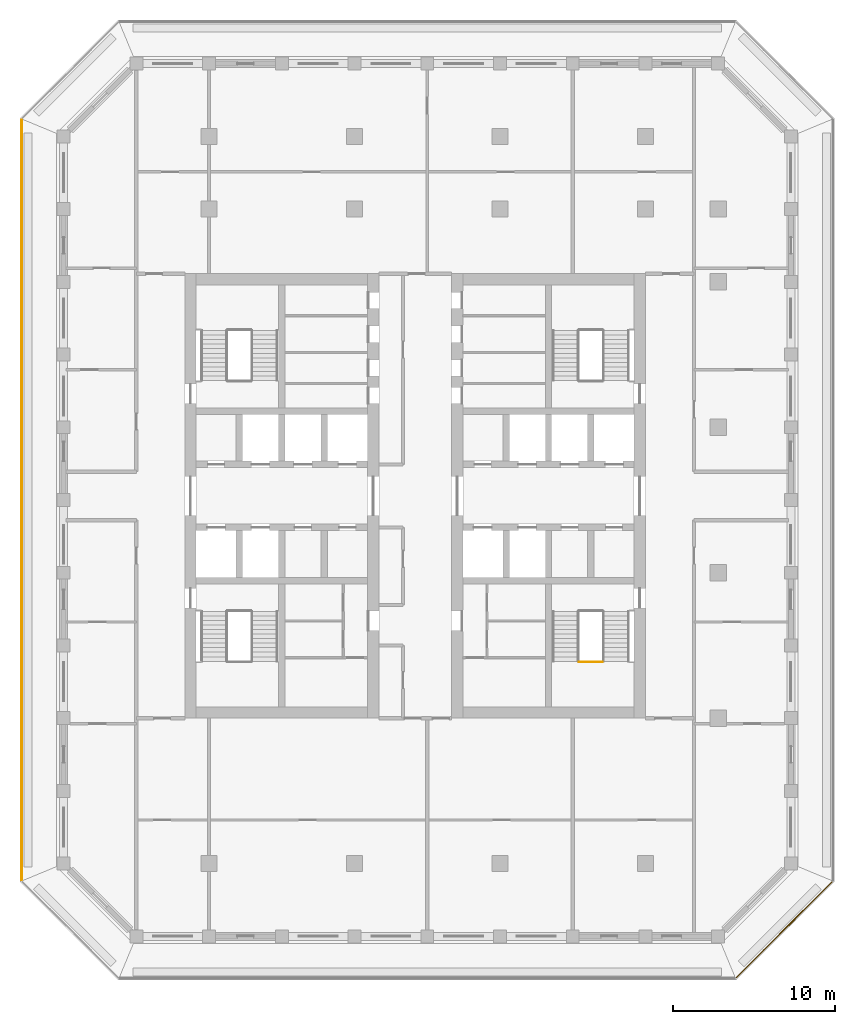
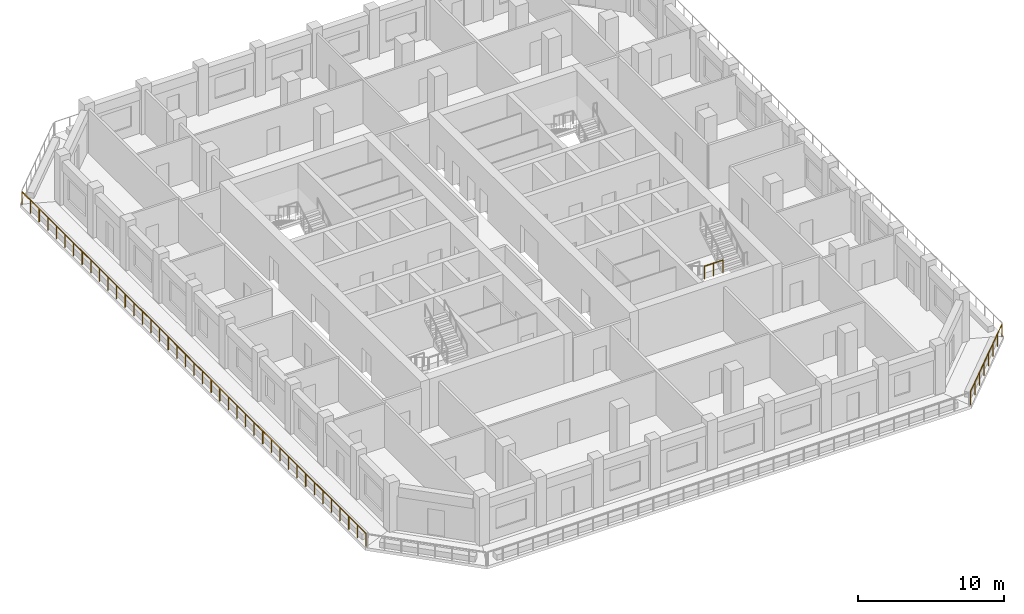
# One storey, part 11 of 17: 3 railings.
"""IFC4 building model written with IfcOpenShell, lengths in metres."""

from ifc_helpers import new_model, si_unit, direction, frame, origin, origin_2d, place, context, subcontext, project, spatial, circle, extrude, material, type_object, element, save


model = new_model("IFC4")

# Units and contexts
model_context = context("Model", 3, precision=1e-05, world=origin(), true_north=direction((0.0, 1.0)))
body_context = subcontext(model_context, "Body", "Model", "MODEL_VIEW")
ifc_project = project(units=[si_unit("LENGTHUNIT", "METRE"), si_unit("AREAUNIT", "SQUARE_METRE"), si_unit("VOLUMEUNIT", "CUBIC_METRE"), si_unit("PLANEANGLEUNIT", "RADIAN"), si_unit("MASSUNIT", "GRAM", prefix="KILO")], contexts=[model_context])

# Site, building, storey
site_placement = place(None, origin())
site = spatial("IfcSite", under=ifc_project, at=site_placement, CompositionType="ELEMENT")
building_placement = place(site_placement, origin())
building = spatial("IfcBuilding", under=site, at=building_placement, Name="Corbel Stack Research Tower", CompositionType="ELEMENT")
storey_placement = place(building_placement, frame((0.0, 0.0, 235.699951171875)))
storey = spatial("IfcBuildingStorey", under=building, at=storey_placement, Name="L53", CompositionType="ELEMENT", Elevation=235.699951171875)

# Railings
ifc_material_1 = material(Name="Steel S355", Category="steel")
railing_type_1 = type_object("IfcRailingType", Name="Stair guard 1100", PredefinedType="GUARDRAIL", material=ifc_material_1)
railing_1_placement = place(storey_placement, frame((13.89990234375, -5.530029296875, 2.050048828125)))
element("IfcRailing", 1, at=railing_1_placement, inside=storey, type_object=railing_type_1, Name="L53 ST-E1 stair guard 2", PredefinedType="GUARDRAIL", context=body_context, shape_type="SweptSolid", body=[
    extrude(circle(Radius=0.02392578125, at=origin_2d()), frame((0.0, 0.0, 1.076171875), z_axis=(1.0, 0.0, 0.0), x_axis=(0.0, 1.0, 0.0)), (0.0, 0.0, 1.0), 1.4501953125),
    extrude(circle(Radius=0.02099609375, at=origin_2d()), origin(), (0.0, 0.0, 1.0), 1.052001953125),
    extrude(circle(Radius=0.02099609375, at=origin_2d()), frame((0.72509765625, 0.0, 0.0)), (0.0, 0.0, 1.0), 1.052001953125),
    extrude(circle(Radius=0.02099609375, at=origin_2d()), frame((1.4501953125, 0.0, 0.0)), (0.0, 0.0, 1.0), 1.052001953125),
])
ifc_material_2 = material(Name="Powder-coated steel guard", Category="steel")
railing_type_2 = type_object("IfcRailingType", Name="Steel and glass guard 1100", PredefinedType="GUARDRAIL", material=ifc_material_2)
railing_2_placement = place(storey_placement, frame((23.627685546875, -25.04931640625, 0.0)))
element("IfcRailing", 2, at=railing_2_placement, inside=storey, type_object=railing_type_2, Name="Loggia guard L53 SE", PredefinedType="GUARDRAIL", context=body_context, shape_type="SweptSolid", body=[
    extrude(circle(Radius=0.02392578125, at=origin_2d()), frame((0.0, 0.0, 1.076171875), z_axis=(0.707106781187, 0.707106781187, 0.0), x_axis=(-0.707106781187, 0.707106781187, 0.0)), (0.0, 0.0, 1.0), 8.37451171875),
    extrude(circle(Radius=0.02099609375, at=origin_2d()), origin(), (0.0, 0.0, 1.0), 1.052001953125),
    extrude(circle(Radius=0.02099609375, at=origin_2d()), frame((0.845947265625, 0.845947265625, 0.0)), (0.0, 0.0, 1.0), 1.052001953125),
    extrude(circle(Radius=0.02099609375, at=origin_2d()), frame((1.69189453125, 1.69189453125, 0.0)), (0.0, 0.0, 1.0), 1.052001953125),
    extrude(circle(Radius=0.02099609375, at=origin_2d()), frame((2.537841796875, 2.537841796875, 0.0)), (0.0, 0.0, 1.0), 1.052001953125),
    extrude(circle(Radius=0.02099609375, at=origin_2d()), frame((3.3837890625, 3.3837890625, 0.0)), (0.0, 0.0, 1.0), 1.052001953125),
    extrude(circle(Radius=0.02099609375, at=origin_2d()), frame((4.229736328125, 4.229736328125, 0.0)), (0.0, 0.0, 1.0), 1.052001953125),
    extrude(circle(Radius=0.02099609375, at=origin_2d()), frame((5.07568359375, 5.07568359375, 0.0)), (0.0, 0.0, 1.0), 1.052001953125),
    extrude(circle(Radius=0.02099609375, at=origin_2d()), frame((5.921630859375, 5.921630859375, 0.0)), (0.0, 0.0, 1.0), 1.052001953125),
])
railing_3_placement = place(storey_placement, frame((-20.60009765625, 28.00537109375, 0.0)))
element("IfcRailing", 3, at=railing_3_placement, inside=storey, type_object=railing_type_2, Name="Loggia guard L53 W", PredefinedType="GUARDRAIL", context=body_context, shape_type="SweptSolid", body=[
    extrude(circle(Radius=0.02392578125, at=origin_2d()), frame((0.0, 0.0, 1.076171875), z_axis=(0.0, -1.0, 0.0), x_axis=(1.0, 0.0, 0.0)), (0.0, 0.0, 1.0), 47.0107421875),
    extrude(circle(Radius=0.02099609375, at=origin_2d()), origin(), (0.0, 0.0, 1.0), 1.052001953125),
    extrude(circle(Radius=0.02099609375, at=origin_2d()), frame((0.0, -1.17529296875, 0.0)), (0.0, 0.0, 1.0), 1.052001953125),
    extrude(circle(Radius=0.02099609375, at=origin_2d()), frame((0.0, -2.3505859375, 0.0)), (0.0, 0.0, 1.0), 1.052001953125),
    extrude(circle(Radius=0.02099609375, at=origin_2d()), frame((0.0, -3.52587890625, 0.0)), (0.0, 0.0, 1.0), 1.052001953125),
    extrude(circle(Radius=0.02099609375, at=origin_2d()), frame((0.0, -4.701171875, 0.0)), (0.0, 0.0, 1.0), 1.052001953125),
    extrude(circle(Radius=0.02099609375, at=origin_2d()), frame((0.0, -5.87646484375, 0.0)), (0.0, 0.0, 1.0), 1.052001953125),
    extrude(circle(Radius=0.02099609375, at=origin_2d()), frame((0.0, -7.051513671875, 0.0)), (0.0, 0.0, 1.0), 1.052001953125),
    extrude(circle(Radius=0.02099609375, at=origin_2d()), frame((0.0, -8.226806640625, 0.0)), (0.0, 0.0, 1.0), 1.052001953125),
    extrude(circle(Radius=0.02099609375, at=origin_2d()), frame((0.0, -9.402099609375, 0.0)), (0.0, 0.0, 1.0), 1.052001953125),
    extrude(circle(Radius=0.02099609375, at=origin_2d()), frame((0.0, -10.577392578125, 0.0)), (0.0, 0.0, 1.0), 1.052001953125),
    extrude(circle(Radius=0.02099609375, at=origin_2d()), frame((0.0, -11.752685546875, 0.0)), (0.0, 0.0, 1.0), 1.052001953125),
    extrude(circle(Radius=0.02099609375, at=origin_2d()), frame((0.0, -12.927978515625, 0.0)), (0.0, 0.0, 1.0), 1.052001953125),
    extrude(circle(Radius=0.02099609375, at=origin_2d()), frame((0.0, -14.103271484375, 0.0)), (0.0, 0.0, 1.0), 1.052001953125),
    extrude(circle(Radius=0.02099609375, at=origin_2d()), frame((0.0, -15.278564453125, 0.0)), (0.0, 0.0, 1.0), 1.052001953125),
    extrude(circle(Radius=0.02099609375, at=origin_2d()), frame((0.0, -16.453857421875, 0.0)), (0.0, 0.0, 1.0), 1.052001953125),
    extrude(circle(Radius=0.02099609375, at=origin_2d()), frame((0.0, -17.62890625, 0.0)), (0.0, 0.0, 1.0), 1.052001953125),
    extrude(circle(Radius=0.02099609375, at=origin_2d()), frame((0.0, -18.80419921875, 0.0)), (0.0, 0.0, 1.0), 1.052001953125),
    extrude(circle(Radius=0.02099609375, at=origin_2d()), frame((0.0, -19.9794921875, 0.0)), (0.0, 0.0, 1.0), 1.052001953125),
    extrude(circle(Radius=0.02099609375, at=origin_2d()), frame((0.0, -21.15478515625, 0.0)), (0.0, 0.0, 1.0), 1.052001953125),
    extrude(circle(Radius=0.02099609375, at=origin_2d()), frame((0.0, -22.330078125, 0.0)), (0.0, 0.0, 1.0), 1.052001953125),
    extrude(circle(Radius=0.02099609375, at=origin_2d()), frame((0.0, -23.50537109375, 0.0)), (0.0, 0.0, 1.0), 1.052001953125),
    extrude(circle(Radius=0.02099609375, at=origin_2d()), frame((0.0, -24.6806640625, 0.0)), (0.0, 0.0, 1.0), 1.052001953125),
    extrude(circle(Radius=0.02099609375, at=origin_2d()), frame((0.0, -25.85595703125, 0.0)), (0.0, 0.0, 1.0), 1.052001953125),
    extrude(circle(Radius=0.02099609375, at=origin_2d()), frame((0.0, -27.03125, 0.0)), (0.0, 0.0, 1.0), 1.052001953125),
    extrude(circle(Radius=0.02099609375, at=origin_2d()), frame((0.0, -28.20654296875, 0.0)), (0.0, 0.0, 1.0), 1.052001953125),
    extrude(circle(Radius=0.02099609375, at=origin_2d()), frame((0.0, -29.3818359375, 0.0)), (0.0, 0.0, 1.0), 1.052001953125),
    extrude(circle(Radius=0.02099609375, at=origin_2d()), frame((0.0, -30.556884765625, 0.0)), (0.0, 0.0, 1.0), 1.052001953125),
    extrude(circle(Radius=0.02099609375, at=origin_2d()), frame((0.0, -31.732177734375, 0.0)), (0.0, 0.0, 1.0), 1.052001953125),
    extrude(circle(Radius=0.02099609375, at=origin_2d()), frame((0.0, -32.907470703125, 0.0)), (0.0, 0.0, 1.0), 1.052001953125),
    extrude(circle(Radius=0.02099609375, at=origin_2d()), frame((0.0, -34.082763671875, 0.0)), (0.0, 0.0, 1.0), 1.052001953125),
    extrude(circle(Radius=0.02099609375, at=origin_2d()), frame((0.0, -35.258056640625, 0.0)), (0.0, 0.0, 1.0), 1.052001953125),
    extrude(circle(Radius=0.02099609375, at=origin_2d()), frame((0.0, -36.433349609375, 0.0)), (0.0, 0.0, 1.0), 1.052001953125),
    extrude(circle(Radius=0.02099609375, at=origin_2d()), frame((0.0, -37.608642578125, 0.0)), (0.0, 0.0, 1.0), 1.052001953125),
    extrude(circle(Radius=0.02099609375, at=origin_2d()), frame((0.0, -38.783935546875, 0.0)), (0.0, 0.0, 1.0), 1.052001953125),
    extrude(circle(Radius=0.02099609375, at=origin_2d()), frame((0.0, -39.959228515625, 0.0)), (0.0, 0.0, 1.0), 1.052001953125),
    extrude(circle(Radius=0.02099609375, at=origin_2d()), frame((0.0, -41.13427734375, 0.0)), (0.0, 0.0, 1.0), 1.052001953125),
    extrude(circle(Radius=0.02099609375, at=origin_2d()), frame((0.0, -42.3095703125, 0.0)), (0.0, 0.0, 1.0), 1.052001953125),
    extrude(circle(Radius=0.02099609375, at=origin_2d()), frame((0.0, -43.48486328125, 0.0)), (0.0, 0.0, 1.0), 1.052001953125),
    extrude(circle(Radius=0.02099609375, at=origin_2d()), frame((0.0, -44.66015625, 0.0)), (0.0, 0.0, 1.0), 1.052001953125),
    extrude(circle(Radius=0.02099609375, at=origin_2d()), frame((0.0, -45.83544921875, 0.0)), (0.0, 0.0, 1.0), 1.052001953125),
    extrude(circle(Radius=0.02099609375, at=origin_2d()), frame((0.0, -47.0107421875, 0.0)), (0.0, 0.0, 1.0), 1.052001953125),
])

save(model, "model.ifc")
